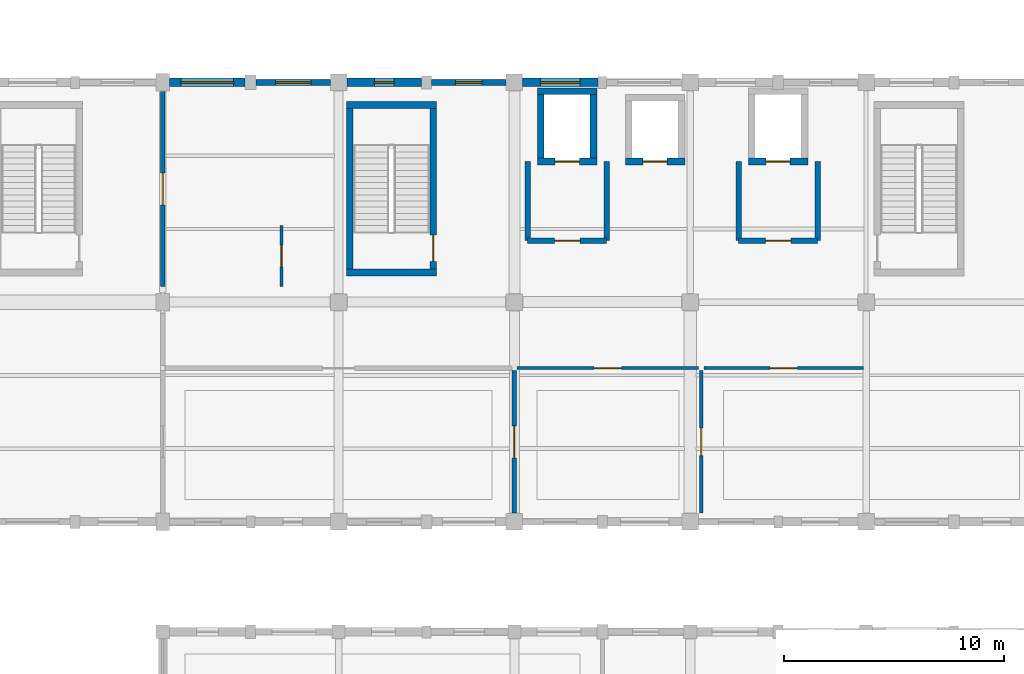
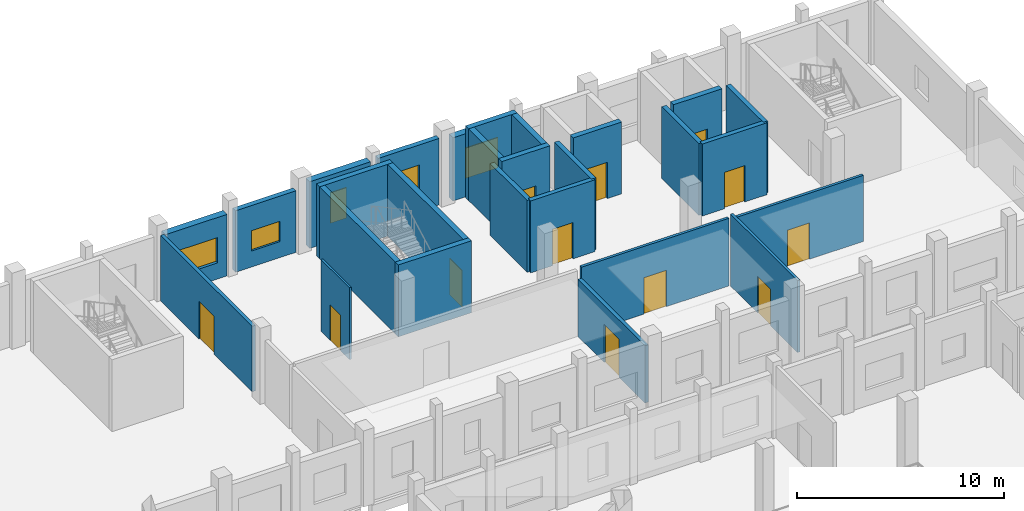
# One storey, part 152 of 183: 27 walls, 12 doors, 5 windows, 17 openings.
"""IFC4 building model written with IfcOpenShell, lengths in metres."""

from ifc_helpers import new_model, si_unit, direction, frame, frame_2d, origin, place, context, subcontext, project, spatial, rectangle, extrude, material, layer, layer_set, type_object, element, fill, save


model = new_model("IFC4")

# Units and contexts
model_context = context("Model", 3, precision=1e-05, world=origin(), true_north=direction((0.0, 1.0)))
body_context = subcontext(model_context, "Body", "Model", "MODEL_VIEW")
ifc_project = project(units=[si_unit("LENGTHUNIT", "METRE"), si_unit("AREAUNIT", "SQUARE_METRE"), si_unit("VOLUMEUNIT", "CUBIC_METRE"), si_unit("PLANEANGLEUNIT", "RADIAN"), si_unit("MASSUNIT", "GRAM", prefix="KILO")], contexts=[model_context])

# Site, building, storey
site_placement = place(None, origin())
site = spatial("IfcSite", under=ifc_project, at=site_placement, CompositionType="ELEMENT")
building_placement = place(site_placement, origin())
building = spatial("IfcBuilding", under=site, at=building_placement, Name="Luwemba Playhouse", CompositionType="ELEMENT")
storey_placement = place(building_placement, frame((0.0, 0.0, 4.800048828125)))
storey = spatial("IfcBuildingStorey", under=building, at=storey_placement, Name="L01", CompositionType="ELEMENT", Elevation=4.800048828125)

# Wall, opening, window
ifc_material_1 = material(Name="Clay facing brick obra vista masonry", Category="masonry")
ifc_layer_1 = layer(ifc_material_1, 0.3798828125)
ifc_layer_set_1 = layer_set([ifc_layer_1], Name="Clay facing brick obra vista masonry")
wall_type_1 = type_object("IfcWallType", Name="WAL-BRK-380", PredefinedType="SOLIDWALL", material=ifc_layer_set_1)
wall_1_placement = place(storey_placement, frame((132.300048828125, 115.0, 0.0), z_axis=(0.0, 0.0, 1.0), x_axis=(1.0, 0.0, 0.0)))
wall_1 = element("IfcWall", 1, at=wall_1_placement, inside=storey, type_object=wall_type_1, Name="L01 V6E exterior facade wall 0242", PredefinedType="SOLIDWALL", context=body_context, shape_type="SweptSolid", body=[
    extrude(rectangle(XDim=3.449951171875, YDim=0.3798828125, at=frame_2d((1.72509765625, 0.0))), origin(), (0.0, 0.0, 1.0), 3.635009765625),
])
opening_1_placement = place(wall_1_placement, frame((0.52490234375, 0.0, 0.949951171875)))
opening_1 = element("IfcOpeningElement", 2, at=opening_1_placement, cuts=wall_1, Name="Opening WN-12", PredefinedType="OPENING", context=body_context, shape_type="SweptSolid", body=[
    extrude(rectangle(XDim=2.39990234375, YDim=1.5, at=frame_2d((1.199951171875, 0.75))), frame((0.0, 0.199951171875, 0.0), z_axis=(0.0, -1.0, 0.0), x_axis=(1.0, 0.0, 0.0)), (0.0, 0.0, 1.0), 0.39990234375),
])
ifc_material_2 = material(Name="Solar-control double glazing in aluminium frame", Category="aluminium")
window_type_1 = type_object("IfcWindowType", Name="WIN-WN-12", PartitioningType="TRIPLE_PANEL_VERTICAL", PredefinedType="WINDOW", material=ifc_material_2)
window_1_placement = place(opening_1_placement, origin())
window_1 = element("IfcWindow", 3, at=window_1_placement, inside=storey, type_object=window_type_1, Name="L01 V6E scheduled window 0189", OverallHeight=1.5, OverallWidth=2.39990234375, PartitioningType="TRIPLE_PANEL_VERTICAL", PredefinedType="WINDOW", context=body_context, shape_type="SweptSolid", body=[
    extrude(rectangle(XDim=2.39990234375, YDim=1.5, at=frame_2d((1.199951171875, 0.75))), frame((0.0, 0.030029296875, 0.0), z_axis=(0.0, -1.0, 0.0), x_axis=(1.0, 0.0, 0.0)), (0.0, 0.0, 1.0), 0.06005859375),
])
fill(opening_1, window_1)

wall_2_placement = place(storey_placement, frame((140.375, 115.0, 0.0), z_axis=(0.0, 0.0, 1.0), x_axis=(1.0, 0.0, 0.0)))
wall_2 = element("IfcWall", 4, at=wall_2_placement, inside=storey, type_object=wall_type_1, Name="L01 V6E exterior facade wall 0244", PredefinedType="SOLIDWALL", context=body_context, shape_type="SweptSolid", body=[
    extrude(rectangle(XDim=3.39990234375, YDim=0.3798828125, at=frame_2d((1.699951171875, 0.0))), origin(), (0.0, 0.0, 1.0), 3.93505859375),
])
opening_2_placement = place(wall_2_placement, frame((1.25, 0.0, 0.949951171875)))
opening_2 = element("IfcOpeningElement", 5, at=opening_2_placement, cuts=wall_2, Name="Opening WN-18", PredefinedType="OPENING", context=body_context, shape_type="SweptSolid", body=[
    extrude(rectangle(XDim=0.89990234375, YDim=1.800048828125, at=frame_2d((0.449951171875, 0.89990234375))), frame((0.0, 0.199951171875, 0.0), z_axis=(0.0, -1.0, 0.0), x_axis=(1.0, 0.0, 0.0)), (0.0, 0.0, 1.0), 0.39990234375),
])
window_type_2 = type_object("IfcWindowType", Name="WIN-WN-18", PartitioningType="SINGLE_PANEL", PredefinedType="WINDOW", material=ifc_material_2)
window_2_placement = place(opening_2_placement, origin())
window_2 = element("IfcWindow", 6, at=window_2_placement, inside=storey, type_object=window_type_2, Name="L01 V6E scheduled window 0191", OverallHeight=1.800048828125, OverallWidth=0.89990234375, PartitioningType="SINGLE_PANEL", PredefinedType="WINDOW", context=body_context, shape_type="SweptSolid", body=[
    extrude(rectangle(XDim=0.89990234375, YDim=1.800048828125, at=frame_2d((0.449951171875, 0.89990234375))), frame((0.0, 0.030029296875, 0.0), z_axis=(0.0, -1.0, 0.0), x_axis=(1.0, 0.0, 0.0)), (0.0, 0.0, 1.0), 0.06005859375),
])
fill(opening_2, window_2)

wall_3_placement = place(storey_placement, frame((148.375, 115.0, 0.0), z_axis=(0.0, 0.0, 1.0), x_axis=(1.0, 0.0, 0.0)))
wall_3 = element("IfcWall", 7, at=wall_3_placement, inside=storey, type_object=wall_type_1, Name="L01 V6E exterior facade wall 0246", PredefinedType="SOLIDWALL", context=body_context, shape_type="SweptSolid", body=[
    extrude(rectangle(XDim=3.425048828125, YDim=0.3798828125, at=frame_2d((1.71240234375, 0.0))), origin(), (0.0, 0.0, 1.0), 3.73486328125),
])
opening_3_placement = place(wall_3_placement, frame((0.8125, 0.0, 0.949951171875)))
opening_3 = element("IfcOpeningElement", 8, at=opening_3_placement, cuts=wall_3, Name="Opening WN-04", PredefinedType="OPENING", context=body_context, shape_type="SweptSolid", body=[
    extrude(rectangle(XDim=1.800048828125, YDim=1.800048828125, at=frame_2d((0.89990234375, 0.89990234375))), frame((0.0, 0.199951171875, 0.0), z_axis=(0.0, -1.0, 0.0), x_axis=(1.0, 0.0, 0.0)), (0.0, 0.0, 1.0), 0.39990234375),
])
window_type_3 = type_object("IfcWindowType", Name="WIN-WN-04", PartitioningType="DOUBLE_PANEL_VERTICAL", PredefinedType="WINDOW", material=ifc_material_2)
window_3_placement = place(opening_3_placement, origin())
window_3 = element("IfcWindow", 9, at=window_3_placement, inside=storey, type_object=window_type_3, Name="L01 V6E scheduled window 0193", OverallHeight=1.800048828125, OverallWidth=1.800048828125, PartitioningType="DOUBLE_PANEL_VERTICAL", PredefinedType="WINDOW", context=body_context, shape_type="SweptSolid", body=[
    extrude(rectangle(XDim=1.800048828125, YDim=1.800048828125, at=frame_2d((0.89990234375, 0.89990234375))), frame((0.0, 0.030029296875, 0.0), z_axis=(0.0, -1.0, 0.0), x_axis=(1.0, 0.0, 0.0)), (0.0, 0.0, 1.0), 0.06005859375),
])
fill(opening_3, window_3)

# Walls
ifc_material_3 = material(Name="Concrete C40/50", Category="concrete")
ifc_layer_2 = layer(ifc_material_3, 0.300048828125)
ifc_layer_set_2 = layer_set([ifc_layer_2], Name="Concrete C40/50")
wall_type_2 = type_object("IfcWallType", Name="WAL-CORE-300", PredefinedType="SHEAR", material=ifc_layer_set_2)
for number, where, z_axis, x_axis, name in (
    (10, (140.35009765625, 106.35009765625, 0.0), (0.0, 0.0, 1.0), (1.0, 0.0, 0.0), "L01 ST-09 stair core wall S"),
    (11, (144.449951171875, 113.969970703125, 0.0), (0.0, 0.0, 1.0), (-1.0, 0.0, 0.0), "L01 ST-09 stair core wall N"),
):
    element("IfcWall", number, at=place(storey_placement, frame(where, z_axis=z_axis, x_axis=x_axis)), inside=storey, type_object=wall_type_2, Name=name, PredefinedType="SHEAR", context=body_context, shape_type="SweptSolid", body=[
        extrude(rectangle(XDim=4.099853515625, YDim=0.300048828125, at=frame_2d((2.0498046875, 0.0))), origin(), (0.0, 0.0, 1.0), 4.25),
    ])
wall_4_placement = place(storey_placement, frame((140.5, 106.5, 0.0), z_axis=(0.0, 0.0, 1.0), x_axis=(0.0, 1.0, 0.0)))
element("IfcWall", 12, at=wall_4_placement, inside=storey, type_object=wall_type_2, Name="L01 ST-09 stair core wall W", PredefinedType="SHEAR", context=body_context, shape_type="SweptSolid", body=[
    extrude(rectangle(XDim=7.320068359375, YDim=0.300048828125, at=frame_2d((3.66015625, 0.0))), origin(), (0.0, 0.0, 1.0), 4.25),
])

# Wall, opening, door
wall_5_placement = place(storey_placement, frame((144.300048828125, 106.5, 0.0), z_axis=(0.0, 0.0, 1.0), x_axis=(0.0, 1.0, 0.0)))
wall_5 = element("IfcWall", 13, at=wall_5_placement, inside=storey, type_object=wall_type_2, Name="L01 ST-09 stair core wall E", PredefinedType="SHEAR", context=body_context, shape_type="SweptSolid", body=[
    extrude(rectangle(XDim=7.320068359375, YDim=0.300048828125, at=frame_2d((3.66015625, 0.0))), origin(), (0.0, 0.0, 1.0), 4.25),
])
opening_4_placement = place(wall_5_placement, frame((0.35009765625, 0.0, 0.0)))
opening_4 = element("IfcOpeningElement", 14, at=opening_4_placement, cuts=wall_5, Name="Opening D-STAIR3", PredefinedType="OPENING", context=body_context, shape_type="SweptSolid", body=[
    extrude(rectangle(XDim=1.199951171875, YDim=2.14990234375, at=frame_2d((0.60009765625, 1.074951171875))), frame((0.0, 0.159912109375, 0.0), z_axis=(0.0, -1.0, 0.0), x_axis=(1.0, 0.0, 0.0)), (0.0, 0.0, 1.0), 0.320068359375),
])
ifc_material_4 = material(Name="Hardwood acoustic fire door leaf", Category="wood")
door_type_1 = type_object("IfcDoorType", Name="DR-STAIR-120", OperationType="NOTDEFINED", PredefinedType="DOOR", material=ifc_material_4)
door_1_placement = place(opening_4_placement, origin())
door_1 = element("IfcDoor", 15, at=door_1_placement, inside=storey, type_object=door_type_1, Name="L01 ST-09 protected stair entry door", OperationType="SINGLE_SWING_RIGHT", OverallHeight=2.14990234375, OverallWidth=1.199951171875, PredefinedType="DOOR", context=body_context, shape_type="SweptSolid", body=[
    extrude(rectangle(XDim=1.199951171875, YDim=2.14990234375, at=frame_2d((0.60009765625, 1.074951171875))), frame((0.0, 0.02490234375, 0.0), z_axis=(0.0, -1.0, 0.0), x_axis=(1.0, 0.0, 0.0)), (0.0, 0.0, 1.0), 0.050048828125),
])
fill(opening_4, door_1)

wall_6_placement = place(storey_placement, frame((149.050048828125, 111.39990234375, 0.0), z_axis=(0.0, 0.0, 1.0), x_axis=(1.0, 0.0, 0.0)))
wall_6 = element("IfcWall", 16, at=wall_6_placement, inside=storey, type_object=wall_type_2, Name="L01 Lift LF-FF1 shaft wall S", PredefinedType="SHEAR", context=body_context, shape_type="SweptSolid", body=[
    extrude(rectangle(XDim=2.699951171875, YDim=0.300048828125, at=frame_2d((1.35009765625, 0.0))), origin(), (0.0, 0.0, 1.0), 4.25),
])
opening_5_placement = place(wall_6_placement, frame((0.800048828125, 0.0, 0.0)))
opening_5 = element("IfcOpeningElement", 17, at=opening_5_placement, cuts=wall_6, Name="Opening LD-01", PredefinedType="OPENING", context=body_context, shape_type="SweptSolid", body=[
    extrude(rectangle(XDim=1.10009765625, YDim=2.14990234375, at=frame_2d((0.550048828125, 1.074951171875))), frame((0.0, 0.159912109375, 0.0), z_axis=(0.0, -1.0, 0.0), x_axis=(1.0, 0.0, 0.0)), (0.0, 0.0, 1.0), 0.320068359375),
])
ifc_material_5 = material(Name="Stainless steel lift landing doors", Category="steel")
door_type_2 = type_object("IfcDoorType", Name="DR-LIFT-110", OperationType="NOTDEFINED", PredefinedType="DOOR", material=ifc_material_5)
door_2_placement = place(opening_5_placement, origin())
door_2 = element("IfcDoor", 18, at=door_2_placement, inside=storey, type_object=door_type_2, Name="L01 Lift LF-FF1 landing door", OperationType="DOUBLE_DOOR_SLIDING", OverallHeight=2.14990234375, OverallWidth=1.10009765625, PredefinedType="DOOR", context=body_context, shape_type="SweptSolid", body=[
    extrude(rectangle(XDim=1.10009765625, YDim=2.14990234375, at=frame_2d((0.550048828125, 1.074951171875))), frame((0.0, 0.02490234375, 0.0), z_axis=(0.0, -1.0, 0.0), x_axis=(1.0, 0.0, 0.0)), (0.0, 0.0, 1.0), 0.050048828125),
])
fill(opening_5, door_2)

# Walls
wall_7_placement = place(storey_placement, frame((151.75, 114.60009765625, 0.0), z_axis=(0.0, 0.0, 1.0), x_axis=(-1.0, 0.0, 0.0)))
element("IfcWall", 19, at=wall_7_placement, inside=storey, type_object=wall_type_2, Name="L01 Lift LF-FF1 shaft wall N", PredefinedType="SHEAR", context=body_context, shape_type="SweptSolid", body=[
    extrude(rectangle(XDim=2.699951171875, YDim=0.300048828125, at=frame_2d((1.35009765625, 0.0))), origin(), (0.0, 0.0, 1.0), 4.25),
])
for number, where, z_axis, x_axis, name in (
    (20, (149.199951171875, 111.550048828125, 0.0), (0.0, 0.0, 1.0), (0.0, 1.0, 0.0), "L01 Lift LF-FF1 shaft wall W"),
    (21, (151.60009765625, 114.449951171875, 0.0), (0.0, 0.0, 1.0), (0.0, -1.0, 0.0), "L01 Lift LF-FF1 shaft wall E"),
):
    element("IfcWall", number, at=place(storey_placement, frame(where, z_axis=z_axis, x_axis=x_axis)), inside=storey, type_object=wall_type_2, Name=name, PredefinedType="SHEAR", context=body_context, shape_type="SweptSolid", body=[
        extrude(rectangle(XDim=2.89990234375, YDim=0.300048828125, at=frame_2d((1.449951171875, 0.0))), origin(), (0.0, 0.0, 1.0), 4.25),
    ])

# Wall, opening, door
wall_8_placement = place(storey_placement, frame((158.64990234375, 111.39990234375, 0.0), z_axis=(0.0, 0.0, 1.0), x_axis=(1.0, 0.0, 0.0)))
wall_8 = element("IfcWall", 22, at=wall_8_placement, inside=storey, type_object=wall_type_2, Name="L01 Lift LF-FF2 shaft wall S", PredefinedType="SHEAR", context=body_context, shape_type="SweptSolid", body=[
    extrude(rectangle(XDim=2.7001953125, YDim=0.300048828125, at=frame_2d((1.35009765625, 0.0))), origin(), (0.0, 0.0, 1.0), 4.25),
])
opening_6_placement = place(wall_8_placement, frame((0.800048828125, 0.0, 0.0)))
opening_6 = element("IfcOpeningElement", 23, at=opening_6_placement, cuts=wall_8, Name="Opening LD-01", PredefinedType="OPENING", context=body_context, shape_type="SweptSolid", body=[
    extrude(rectangle(XDim=1.10009765625, YDim=2.14990234375, at=frame_2d((0.550048828125, 1.074951171875))), frame((0.0, 0.159912109375, 0.0), z_axis=(0.0, -1.0, 0.0), x_axis=(1.0, 0.0, 0.0)), (0.0, 0.0, 1.0), 0.320068359375),
])
door_3_placement = place(opening_6_placement, origin())
door_3 = element("IfcDoor", 24, at=door_3_placement, inside=storey, type_object=door_type_2, Name="L01 Lift LF-FF2 landing door", OperationType="DOUBLE_DOOR_SLIDING", OverallHeight=2.14990234375, OverallWidth=1.10009765625, PredefinedType="DOOR", context=body_context, shape_type="SweptSolid", body=[
    extrude(rectangle(XDim=1.10009765625, YDim=2.14990234375, at=frame_2d((0.550048828125, 1.074951171875))), frame((0.0, 0.02490234375, 0.0), z_axis=(0.0, -1.0, 0.0), x_axis=(1.0, 0.0, 0.0)), (0.0, 0.0, 1.0), 0.050048828125),
])
fill(opening_6, door_3)

wall_9_placement = place(storey_placement, frame((153.050048828125, 111.39990234375, 0.0), z_axis=(0.0, 0.0, 1.0), x_axis=(1.0, 0.0, 0.0)))
wall_9 = element("IfcWall", 25, at=wall_9_placement, inside=storey, type_object=wall_type_2, Name="L01 Lift LF-P6 shaft wall S", PredefinedType="SHEAR", context=body_context, shape_type="SweptSolid", body=[
    extrude(rectangle(XDim=2.699951171875, YDim=0.300048828125, at=frame_2d((1.35009765625, 0.0))), origin(), (0.0, 0.0, 1.0), 4.25),
])
opening_7_placement = place(wall_9_placement, frame((0.800048828125, 0.0, 0.0)))
opening_7 = element("IfcOpeningElement", 26, at=opening_7_placement, cuts=wall_9, Name="Opening LD-01", PredefinedType="OPENING", context=body_context, shape_type="SweptSolid", body=[
    extrude(rectangle(XDim=1.10009765625, YDim=2.14990234375, at=frame_2d((0.550048828125, 1.074951171875))), frame((0.0, 0.159912109375, 0.0), z_axis=(0.0, -1.0, 0.0), x_axis=(1.0, 0.0, 0.0)), (0.0, 0.0, 1.0), 0.320068359375),
])
door_4_placement = place(opening_7_placement, origin())
door_4 = element("IfcDoor", 27, at=door_4_placement, inside=storey, type_object=door_type_2, Name="L01 Lift LF-P6 landing door", OperationType="DOUBLE_DOOR_SLIDING", OverallHeight=2.14990234375, OverallWidth=1.10009765625, PredefinedType="DOOR", context=body_context, shape_type="SweptSolid", body=[
    extrude(rectangle(XDim=1.10009765625, YDim=2.14990234375, at=frame_2d((0.550048828125, 1.074951171875))), frame((0.0, 0.02490234375, 0.0), z_axis=(0.0, -1.0, 0.0), x_axis=(1.0, 0.0, 0.0)), (0.0, 0.0, 1.0), 0.050048828125),
])
fill(opening_7, door_4)

ifc_layer_3 = layer(ifc_material_3, 0.25)
ifc_layer_set_3 = layer_set([ifc_layer_3], Name="Concrete C40/50")
wall_type_3 = type_object("IfcWallType", Name="WAL-FFL-250", PredefinedType="SOLIDWALL", material=ifc_layer_set_3)
wall_10_placement = place(storey_placement, frame((152.199951171875, 107.800048828125, 0.0), z_axis=(0.0, 0.0, 1.0), x_axis=(-1.0, 0.0, 0.0)))
wall_10 = element("IfcWall", 28, at=wall_10_placement, inside=storey, type_object=wall_type_3, Name="L01 LF-FF1 firefighting lift lobby wall S", PredefinedType="SOLIDWALL", context=body_context, shape_type="SweptSolid", body=[
    extrude(rectangle(XDim=3.599853515625, YDim=0.25, at=frame_2d((1.7998046875, 0.0))), origin(), (0.0, 0.0, 1.0), 4.25),
])
opening_8_placement = place(wall_10_placement, frame((1.22509765625, 0.0, 0.0)))
opening_8 = element("IfcOpeningElement", 29, at=opening_8_placement, cuts=wall_10, Name="Opening D-FD60", PredefinedType="OPENING", context=body_context, shape_type="SweptSolid", body=[
    extrude(rectangle(XDim=1.14990234375, YDim=2.14990234375, at=frame_2d((0.574951171875, 1.074951171875))), frame((0.0, 0.135009765625, 0.0), z_axis=(0.0, -1.0, 0.0), x_axis=(1.0, 0.0, 0.0)), (0.0, 0.0, 1.0), 0.27001953125),
])
ifc_material_6 = material(Name="Hardwood smoke-sealed fire door leaf", Category="wood")
door_type_3 = type_object("IfcDoorType", Name="DR-FFL-115", OperationType="NOTDEFINED", PredefinedType="DOOR", material=ifc_material_6)
door_5_placement = place(opening_8_placement, origin())
door_5 = element("IfcDoor", 30, at=door_5_placement, inside=storey, type_object=door_type_3, Name="L01 LF-FF1 firefighting lobby smoke door", OperationType="SINGLE_SWING_LEFT", OverallHeight=2.14990234375, OverallWidth=1.14990234375, PredefinedType="DOOR", context=body_context, shape_type="SweptSolid", body=[
    extrude(rectangle(XDim=1.14990234375, YDim=2.14990234375, at=frame_2d((0.574951171875, 1.074951171875))), frame((0.0, 0.02490234375, 0.0), z_axis=(0.0, -1.0, 0.0), x_axis=(1.0, 0.0, 0.0)), (0.0, 0.0, 1.0), 0.050048828125),
])
fill(opening_8, door_5)

# Walls
for number, where, z_axis, x_axis, name in (
    (31, (148.60009765625, 107.800048828125, 0.0), (0.0, 0.0, 1.0), (0.0, 1.0, 0.0), "L01 LF-FF1 firefighting lift lobby wall W"),
    (32, (152.199951171875, 111.39990234375, 0.0), (0.0, 0.0, 1.0), (0.0, -1.0, 0.0), "L01 LF-FF1 firefighting lift lobby wall E"),
):
    element("IfcWall", number, at=place(storey_placement, frame(where, z_axis=z_axis, x_axis=x_axis)), inside=storey, type_object=wall_type_3, Name=name, PredefinedType="SOLIDWALL", context=body_context, shape_type="SweptSolid", body=[
        extrude(rectangle(XDim=3.599853515625, YDim=0.25, at=frame_2d((1.7998046875, 0.0))), origin(), (0.0, 0.0, 1.0), 4.25),
    ])

# Wall, opening, door
wall_11_placement = place(storey_placement, frame((161.800048828125, 107.800048828125, 0.0), z_axis=(0.0, 0.0, 1.0), x_axis=(-1.0, 0.0, 0.0)))
wall_11 = element("IfcWall", 33, at=wall_11_placement, inside=storey, type_object=wall_type_3, Name="L01 LF-FF2 firefighting lift lobby wall S", PredefinedType="SOLIDWALL", context=body_context, shape_type="SweptSolid", body=[
    extrude(rectangle(XDim=3.60009765625, YDim=0.25, at=frame_2d((1.800048828125, 0.0))), origin(), (0.0, 0.0, 1.0), 4.25),
])
opening_9_placement = place(wall_11_placement, frame((1.22509765625, 0.0, 0.0)))
opening_9 = element("IfcOpeningElement", 34, at=opening_9_placement, cuts=wall_11, Name="Opening D-FD60", PredefinedType="OPENING", context=body_context, shape_type="SweptSolid", body=[
    extrude(rectangle(XDim=1.14990234375, YDim=2.14990234375, at=frame_2d((0.574951171875, 1.074951171875))), frame((0.0, 0.135009765625, 0.0), z_axis=(0.0, -1.0, 0.0), x_axis=(1.0, 0.0, 0.0)), (0.0, 0.0, 1.0), 0.27001953125),
])
door_6_placement = place(opening_9_placement, origin())
door_6 = element("IfcDoor", 35, at=door_6_placement, inside=storey, type_object=door_type_3, Name="L01 LF-FF2 firefighting lobby smoke door", OperationType="SINGLE_SWING_RIGHT", OverallHeight=2.14990234375, OverallWidth=1.14990234375, PredefinedType="DOOR", context=body_context, shape_type="SweptSolid", body=[
    extrude(rectangle(XDim=1.14990234375, YDim=2.14990234375, at=frame_2d((0.574951171875, 1.074951171875))), frame((0.0, 0.02490234375, 0.0), z_axis=(0.0, -1.0, 0.0), x_axis=(1.0, 0.0, 0.0)), (0.0, 0.0, 1.0), 0.050048828125),
])
fill(opening_9, door_6)

# Walls
for number, where, z_axis, x_axis, name in (
    (36, (158.199951171875, 107.800048828125, 0.0), (0.0, 0.0, 1.0), (0.0, 1.0, 0.0), "L01 LF-FF2 firefighting lift lobby wall W"),
    (37, (161.800048828125, 111.39990234375, 0.0), (0.0, 0.0, 1.0), (0.0, -1.0, 0.0), "L01 LF-FF2 firefighting lift lobby wall E"),
):
    element("IfcWall", number, at=place(storey_placement, frame(where, z_axis=z_axis, x_axis=x_axis)), inside=storey, type_object=wall_type_3, Name=name, PredefinedType="SOLIDWALL", context=body_context, shape_type="SweptSolid", body=[
        extrude(rectangle(XDim=3.599853515625, YDim=0.25, at=frame_2d((1.7998046875, 0.0))), origin(), (0.0, 0.0, 1.0), 4.25),
    ])

# Wall, opening, door
ifc_material_7 = material(Name="Moisture-resistant sanitary partition", Category="gypsum")
ifc_layer_4 = layer(ifc_material_7, 0.1201171875)
ifc_layer_set_4 = layer_set([ifc_layer_4], Name="Moisture-resistant sanitary partition")
wall_type_4 = type_object("IfcWallType", Name="WAL-INT-120", PredefinedType="PARTITIONING", material=ifc_layer_set_4)
wall_12_placement = place(storey_placement, frame((137.39990234375, 105.719970703125, 0.0), z_axis=(0.0, 0.0, 1.0), x_axis=(0.0, 1.0, 0.0)))
wall_12 = element("IfcWall", 38, at=wall_12_placement, inside=storey, type_object=wall_type_4, Name="L01 V6E interior partition 0155", PredefinedType="PARTITIONING", context=body_context, shape_type="SweptSolid", body=[
    extrude(rectangle(XDim=2.760009765625, YDim=0.1201171875, at=frame_2d((1.3798828125, 0.0))), origin(), (0.0, 0.0, 1.0), 4.25),
])
opening_10_placement = place(wall_12_placement, frame((0.8798828125, 0.0, 0.0)))
opening_10 = element("IfcOpeningElement", 39, at=opening_10_placement, cuts=wall_12, Name="Opening D-AWC", PredefinedType="OPENING", context=body_context, shape_type="SweptSolid", body=[
    extrude(rectangle(XDim=1.0, YDim=2.10009765625, at=frame_2d((0.5, 1.050048828125))), frame((0.0, 0.070068359375, 0.0), z_axis=(0.0, -1.0, 0.0), x_axis=(1.0, 0.0, 0.0)), (0.0, 0.0, 1.0), 0.14013671875),
])
ifc_material_8 = material(Name="Accessible WC outward-assisted timber door", Category="wood")
door_type_4 = type_object("IfcDoorType", Name="DR-AWC-100", OperationType="NOTDEFINED", PredefinedType="DOOR", material=ifc_material_8)
door_7_placement = place(opening_10_placement, origin())
door_7 = element("IfcDoor", 40, at=door_7_placement, inside=storey, type_object=door_type_4, Name="L01 Conservatory Level 1 Toilets to Conservatory Level 1 Accessible WC door", OperationType="SINGLE_SWING_RIGHT", OverallHeight=2.10009765625, OverallWidth=1.0, PredefinedType="DOOR", context=body_context, shape_type="SweptSolid", body=[
    extrude(rectangle(XDim=1.0, YDim=2.10009765625, at=frame_2d((0.5, 1.050048828125))), frame((0.0, 0.02490234375, 0.0), z_axis=(0.0, -1.0, 0.0), x_axis=(1.0, 0.0, 0.0)), (0.0, 0.0, 1.0), 0.050048828125),
])
fill(opening_10, door_7)

ifc_material_9 = material(Name="Acoustic gypsum stud partition", Category="gypsum")
ifc_layer_5 = layer(ifc_material_9, 0.14990234375)
ifc_layer_set_5 = layer_set([ifc_layer_5], Name="Acoustic gypsum stud partition")
wall_type_5 = type_object("IfcWallType", Name="WAL-INT-150", PredefinedType="PARTITIONING", material=ifc_layer_set_5)
wall_13_placement = place(storey_placement, frame((156.6201171875, 102.0, 0.0), z_axis=(0.0, 0.0, 1.0), x_axis=(1.0, 0.0, 0.0)))
wall_13 = element("IfcWall", 41, at=wall_13_placement, inside=storey, type_object=wall_type_5, Name="L01 V6E interior partition 0152", PredefinedType="PARTITIONING", context=body_context, shape_type="SweptSolid", body=[
    extrude(rectangle(XDim=7.259765625, YDim=0.14990234375, at=frame_2d((3.6298828125, 0.0))), origin(), (0.0, 0.0, 1.0), 3.905029296875),
])
opening_11_placement = place(wall_13_placement, frame((3.0048828125, 0.0, 0.0)))
opening_11 = element("IfcOpeningElement", 42, at=opening_11_placement, cuts=wall_13, Name="Opening D-IN1", PredefinedType="OPENING", context=body_context, shape_type="SweptSolid", body=[
    extrude(rectangle(XDim=1.25, YDim=2.14990234375, at=frame_2d((0.625, 1.074951171875))), frame((0.0, 0.0849609375, 0.0), z_axis=(0.0, -1.0, 0.0), x_axis=(1.0, 0.0, 0.0)), (0.0, 0.0, 1.0), 0.169921875),
])
ifc_material_10 = material(Name="Solid hardwood interior door", Category="wood")
door_type_5 = type_object("IfcDoorType", Name="DR-INT-125", OperationType="NOTDEFINED", PredefinedType="DOOR", material=ifc_material_10)
door_8_placement = place(opening_11_placement, origin())
door_8 = element("IfcDoor", 43, at=door_8_placement, inside=storey, type_object=door_type_5, Name="L01 Community Arts Outreach Studio to Conservatory Level 1 Corridor door", OperationType="SINGLE_SWING_LEFT", OverallHeight=2.14990234375, OverallWidth=1.25, PredefinedType="DOOR", context=body_context, shape_type="SweptSolid", body=[
    extrude(rectangle(XDim=1.25, YDim=2.14990234375, at=frame_2d((0.625, 1.074951171875))), frame((0.0, 0.02490234375, 0.0), z_axis=(0.0, -1.0, 0.0), x_axis=(1.0, 0.0, 0.0)), (0.0, 0.0, 1.0), 0.050048828125),
])
fill(opening_11, door_8)

wall_14_placement = place(storey_placement, frame((156.5, 95.39501953125, 0.0), z_axis=(0.0, 0.0, 1.0), x_axis=(0.0, 1.0, 0.0)))
wall_14 = element("IfcWall", 44, at=wall_14_placement, inside=storey, type_object=wall_type_5, Name="L01 V6E interior partition 0153", PredefinedType="PARTITIONING", context=body_context, shape_type="SweptSolid", body=[
    extrude(rectangle(XDim=6.48486328125, YDim=0.14990234375, at=frame_2d((3.242431640625, 0.0))), origin(), (0.0, 0.0, 1.0), 4.25),
])
opening_12_placement = place(wall_14_placement, frame((2.617431640625, 0.0, 0.0)))
opening_12 = element("IfcOpeningElement", 45, at=opening_12_placement, cuts=wall_14, Name="Opening D-IN1", PredefinedType="OPENING", context=body_context, shape_type="SweptSolid", body=[
    extrude(rectangle(XDim=1.25, YDim=2.14990234375, at=frame_2d((0.625, 1.074951171875))), frame((0.0, 0.0849609375, 0.0), z_axis=(0.0, -1.0, 0.0), x_axis=(1.0, 0.0, 0.0)), (0.0, 0.0, 1.0), 0.169921875),
])
door_9_placement = place(opening_12_placement, origin())
door_9 = element("IfcDoor", 46, at=door_9_placement, inside=storey, type_object=door_type_5, Name="L01 Community Arts Outreach Studio to Musicians Conservatory Lounge door", OperationType="SINGLE_SWING_RIGHT", OverallHeight=2.14990234375, OverallWidth=1.25, PredefinedType="DOOR", context=body_context, shape_type="SweptSolid", body=[
    extrude(rectangle(XDim=1.25, YDim=2.14990234375, at=frame_2d((0.625, 1.074951171875))), frame((0.0, 0.02490234375, 0.0), z_axis=(0.0, -1.0, 0.0), x_axis=(1.0, 0.0, 0.0)), (0.0, 0.0, 1.0), 0.050048828125),
])
fill(opening_12, door_9)

wall_15_placement = place(storey_placement, frame((148.1201171875, 102.0, 0.0), z_axis=(0.0, 0.0, 1.0), x_axis=(1.0, 0.0, 0.0)))
wall_15 = element("IfcWall", 47, at=wall_15_placement, inside=storey, type_object=wall_type_5, Name="L01 V6E interior partition 0154", PredefinedType="PARTITIONING", context=body_context, shape_type="SweptSolid", body=[
    extrude(rectangle(XDim=8.259765625, YDim=0.14990234375, at=frame_2d((4.1298828125, 0.0))), origin(), (0.0, 0.0, 1.0), 3.994873046875),
])
opening_13_placement = place(wall_15_placement, frame((3.5048828125, 0.0, 0.0)))
opening_13 = element("IfcOpeningElement", 48, at=opening_13_placement, cuts=wall_15, Name="Opening D-IN1", PredefinedType="OPENING", context=body_context, shape_type="SweptSolid", body=[
    extrude(rectangle(XDim=1.25, YDim=2.14990234375, at=frame_2d((0.625, 1.074951171875))), frame((0.0, 0.0849609375, 0.0), z_axis=(0.0, -1.0, 0.0), x_axis=(1.0, 0.0, 0.0)), (0.0, 0.0, 1.0), 0.169921875),
])
door_10_placement = place(opening_13_placement, origin())
door_10 = element("IfcDoor", 49, at=door_10_placement, inside=storey, type_object=door_type_5, Name="L01 Conservatory Level 1 Corridor to Musicians Conservatory Lounge door", OperationType="SINGLE_SWING_LEFT", OverallHeight=2.14990234375, OverallWidth=1.25, PredefinedType="DOOR", context=body_context, shape_type="SweptSolid", body=[
    extrude(rectangle(XDim=1.25, YDim=2.14990234375, at=frame_2d((0.625, 1.074951171875))), frame((0.0, 0.02490234375, 0.0), z_axis=(0.0, -1.0, 0.0), x_axis=(1.0, 0.0, 0.0)), (0.0, 0.0, 1.0), 0.050048828125),
])
fill(opening_13, door_10)

ifc_material_11 = material(Name="Clay acoustic masonry blockwork", Category="masonry")
ifc_layer_6 = layer(ifc_material_11, 0.199951171875)
ifc_layer_set_6 = layer_set([ifc_layer_6], Name="Clay acoustic masonry blockwork")
wall_type_6 = type_object("IfcWallType", Name="WAL-INT-200", PredefinedType="PARTITIONING", material=ifc_layer_set_6)
wall_16_placement = place(storey_placement, frame((132.0, 105.719970703125, 0.0), z_axis=(0.0, 0.0, 1.0), x_axis=(0.0, 1.0, 0.0)))
wall_16 = element("IfcWall", 50, at=wall_16_placement, inside=storey, type_object=wall_type_6, Name="L01 V6E interior partition 0149", PredefinedType="PARTITIONING", context=body_context, shape_type="SweptSolid", body=[
    extrude(rectangle(XDim=8.860107421875, YDim=0.199951171875, at=frame_2d((4.43017578125, 0.0))), origin(), (0.0, 0.0, 1.0), 3.875),
])
opening_14_placement = place(wall_16_placement, frame((3.705078125, 0.0, 0.0)))
opening_14 = element("IfcOpeningElement", 51, at=opening_14_placement, cuts=wall_16, Name="Opening D-REH1", PredefinedType="OPENING", context=body_context, shape_type="SweptSolid", body=[
    extrude(rectangle(XDim=1.449951171875, YDim=2.25, at=frame_2d((0.72509765625, 1.125))), frame((0.0, 0.10986328125, 0.0), z_axis=(0.0, -1.0, 0.0), x_axis=(1.0, 0.0, 0.0)), (0.0, 0.0, 1.0), 0.219970703125),
])
ifc_material_12 = material(Name="Acoustic rehearsal leaf-and-half door", Category="wood")
door_type_6 = type_object("IfcDoorType", Name="DR-REH-145", OperationType="NOTDEFINED", PredefinedType="DOOR", material=ifc_material_12)
door_11_placement = place(opening_14_placement, origin())
door_11 = element("IfcDoor", 52, at=door_11_placement, inside=storey, type_object=door_type_6, Name="L01 Choral and Opera Rehearsal Hall to Conservatory Level 1 Toilets door", OperationType="SINGLE_SWING_RIGHT", OverallHeight=2.25, OverallWidth=1.449951171875, PredefinedType="DOOR", context=body_context, shape_type="SweptSolid", body=[
    extrude(rectangle(XDim=1.449951171875, YDim=2.25, at=frame_2d((0.72509765625, 1.125))), frame((0.0, 0.02490234375, 0.0), z_axis=(0.0, -1.0, 0.0), x_axis=(1.0, 0.0, 0.0)), (0.0, 0.0, 1.0), 0.050048828125),
])
fill(opening_14, door_11)

wall_17_placement = place(storey_placement, frame((148.0, 95.39501953125, 0.0), z_axis=(0.0, 0.0, 1.0), x_axis=(0.0, 1.0, 0.0)))
wall_17 = element("IfcWall", 53, at=wall_17_placement, inside=storey, type_object=wall_type_6, Name="L01 V6E interior partition 0151", PredefinedType="PARTITIONING", context=body_context, shape_type="SweptSolid", body=[
    extrude(rectangle(XDim=6.48486328125, YDim=0.199951171875, at=frame_2d((3.242431640625, 0.0))), origin(), (0.0, 0.0, 1.0), 3.385009765625),
])
opening_15_placement = place(wall_17_placement, frame((2.517578125, 0.0, 0.0)))
opening_15 = element("IfcOpeningElement", 54, at=opening_15_placement, cuts=wall_17, Name="Opening D-REH1", PredefinedType="OPENING", context=body_context, shape_type="SweptSolid", body=[
    extrude(rectangle(XDim=1.449951171875, YDim=2.25, at=frame_2d((0.72509765625, 1.125))), frame((0.0, 0.10986328125, 0.0), z_axis=(0.0, -1.0, 0.0), x_axis=(1.0, 0.0, 0.0)), (0.0, 0.0, 1.0), 0.219970703125),
])
door_12_placement = place(opening_15_placement, origin())
door_12 = element("IfcDoor", 55, at=door_12_placement, inside=storey, type_object=door_type_6, Name="L01 Ensemble Music Practice Suites to Musicians Conservatory Lounge door", OperationType="SINGLE_SWING_RIGHT", OverallHeight=2.25, OverallWidth=1.449951171875, PredefinedType="DOOR", context=body_context, shape_type="SweptSolid", body=[
    extrude(rectangle(XDim=1.449951171875, YDim=2.25, at=frame_2d((0.72509765625, 1.125))), frame((0.0, 0.02490234375, 0.0), z_axis=(0.0, -1.0, 0.0), x_axis=(1.0, 0.0, 0.0)), (0.0, 0.0, 1.0), 0.050048828125),
])
fill(opening_15, door_12)

# Wall, opening, window
ifc_material_13 = material(Name="Structural timber GL24h infill", Category="wood")
ifc_layer_7 = layer(ifc_material_13, 0.280029296875)
ifc_layer_set_7 = layer_set([ifc_layer_7], Name="Structural timber GL24h infill")
wall_type_7 = type_object("IfcWallType", Name="WAL-TIM-280", PredefinedType="SOLIDWALL", material=ifc_layer_set_7)
wall_18_placement = place(storey_placement, frame((136.25, 115.0, 0.0), z_axis=(0.0, 0.0, 1.0), x_axis=(1.0, 0.0, 0.0)))
wall_18 = element("IfcWall", 56, at=wall_18_placement, inside=storey, type_object=wall_type_7, Name="L01 V6E exterior facade wall 0243", PredefinedType="SOLIDWALL", context=body_context, shape_type="SweptSolid", body=[
    extrude(rectangle(XDim=3.375, YDim=0.280029296875, at=frame_2d((1.6875, 0.0))), origin(), (0.0, 0.0, 1.0), 3.635009765625),
])
opening_16_placement = place(wall_18_placement, frame((0.887451171875, 0.0, 0.949951171875)))
opening_16 = element("IfcOpeningElement", 57, at=opening_16_placement, cuts=wall_18, Name="Opening WN-15", PredefinedType="OPENING", context=body_context, shape_type="SweptSolid", body=[
    extrude(rectangle(XDim=1.60009765625, YDim=1.199951171875, at=frame_2d((0.800048828125, 0.60009765625))), frame((0.0, 0.14990234375, 0.0), z_axis=(0.0, -1.0, 0.0), x_axis=(1.0, 0.0, 0.0)), (0.0, 0.0, 1.0), 0.300048828125),
])
window_type_4 = type_object("IfcWindowType", Name="WIN-WN-15", PartitioningType="DOUBLE_PANEL_HORIZONTAL", PredefinedType="WINDOW", material=ifc_material_2)
window_4_placement = place(opening_16_placement, origin())
window_4 = element("IfcWindow", 58, at=window_4_placement, inside=storey, type_object=window_type_4, Name="L01 V6E scheduled window 0190", OverallHeight=1.199951171875, OverallWidth=1.60009765625, PartitioningType="DOUBLE_PANEL_HORIZONTAL", PredefinedType="WINDOW", context=body_context, shape_type="SweptSolid", body=[
    extrude(rectangle(XDim=1.60009765625, YDim=1.199951171875, at=frame_2d((0.800048828125, 0.60009765625))), frame((0.0, 0.030029296875, 0.0), z_axis=(0.0, -1.0, 0.0), x_axis=(1.0, 0.0, 0.0)), (0.0, 0.0, 1.0), 0.06005859375),
])
fill(opening_16, window_4)

wall_19_placement = place(storey_placement, frame((144.22509765625, 115.0, 0.0), z_axis=(0.0, 0.0, 1.0), x_axis=(1.0, 0.0, 0.0)))
wall_19 = element("IfcWall", 59, at=wall_19_placement, inside=storey, type_object=wall_type_7, Name="L01 V6E exterior facade wall 0245", PredefinedType="SOLIDWALL", context=body_context, shape_type="SweptSolid", body=[
    extrude(rectangle(XDim=3.39990234375, YDim=0.280029296875, at=frame_2d((1.699951171875, 0.0))), origin(), (0.0, 0.0, 1.0), 3.93505859375),
])
opening_17_placement = place(wall_19_placement, frame((1.10009765625, 0.0, 0.949951171875)))
opening_17 = element("IfcOpeningElement", 60, at=opening_17_placement, cuts=wall_19, Name="Opening WN-01", PredefinedType="OPENING", context=body_context, shape_type="SweptSolid", body=[
    extrude(rectangle(XDim=1.199951171875, YDim=1.800048828125, at=frame_2d((0.60009765625, 0.89990234375))), frame((0.0, 0.14990234375, 0.0), z_axis=(0.0, -1.0, 0.0), x_axis=(1.0, 0.0, 0.0)), (0.0, 0.0, 1.0), 0.300048828125),
])
window_type_5 = type_object("IfcWindowType", Name="WIN-WN-01", PartitioningType="SINGLE_PANEL", PredefinedType="WINDOW", material=ifc_material_2)
window_5_placement = place(opening_17_placement, origin())
window_5 = element("IfcWindow", 61, at=window_5_placement, inside=storey, type_object=window_type_5, Name="L01 V6E scheduled window 0192", OverallHeight=1.800048828125, OverallWidth=1.199951171875, PartitioningType="SINGLE_PANEL", PredefinedType="WINDOW", context=body_context, shape_type="SweptSolid", body=[
    extrude(rectangle(XDim=1.199951171875, YDim=1.800048828125, at=frame_2d((0.60009765625, 0.89990234375))), frame((0.0, 0.030029296875, 0.0), z_axis=(0.0, -1.0, 0.0), x_axis=(1.0, 0.0, 0.0)), (0.0, 0.0, 1.0), 0.06005859375),
])
fill(opening_17, window_5)

save(model, "model.ifc")
